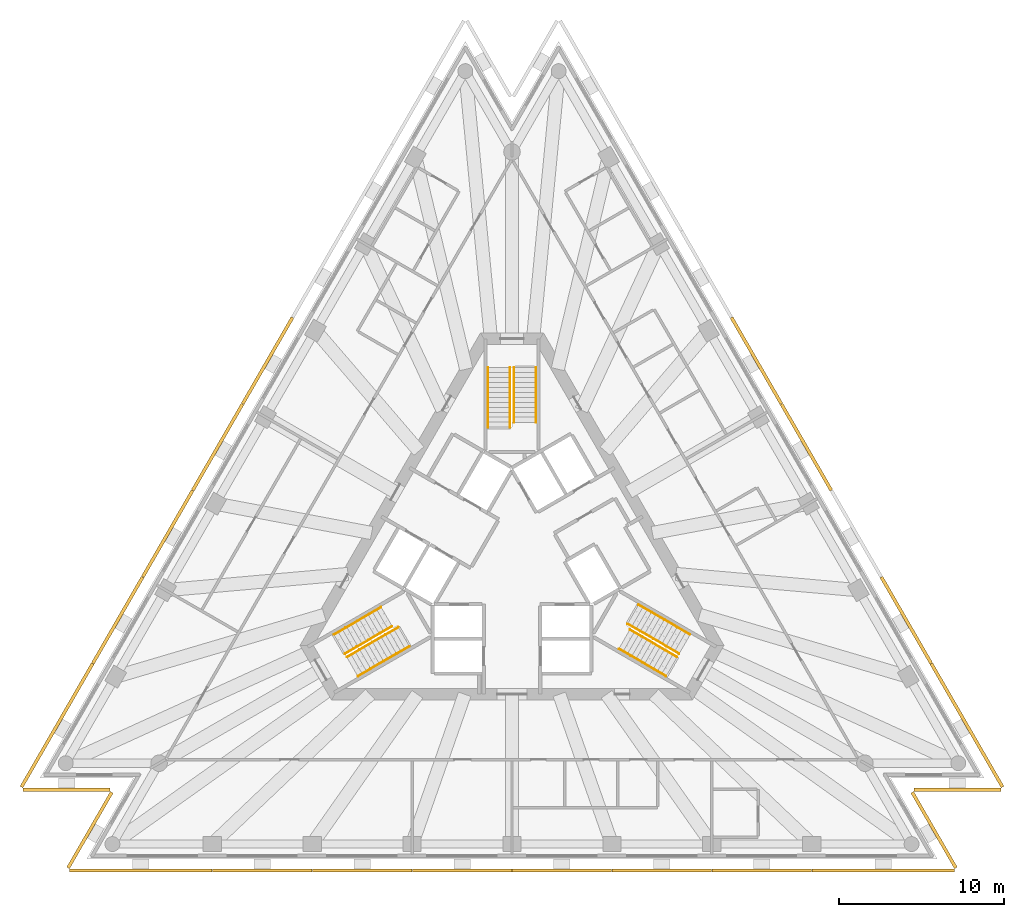
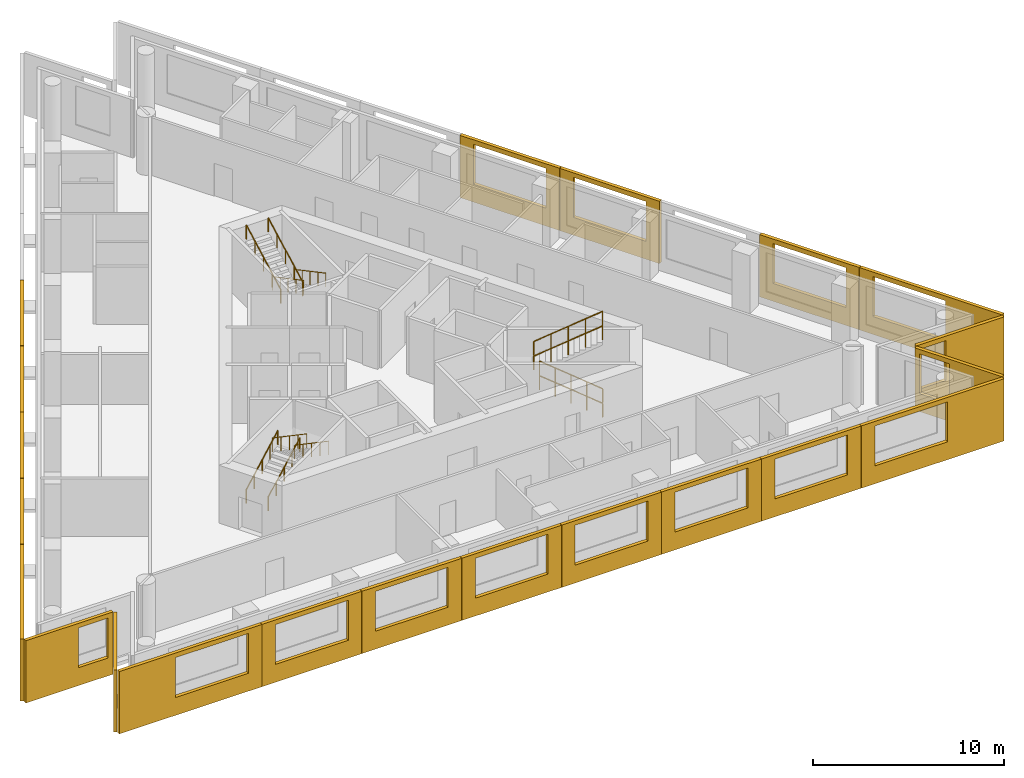
# One storey, part 8 of 9: 21 shading devices, 12 railings, 3 elements without a shape of their own.
"""IFC4 building model written with IfcOpenShell, lengths in metres."""

from ifc_helpers import new_model, si_unit, direction, frame, origin, origin_2d, place, context, subcontext, project, spatial, polyline, circle, outline, extrude, material, layer, layer_set, type_object, element, aggregate, save


model = new_model("IFC4")

# Units and contexts
model_context = context("Model", 3, precision=1e-05, world=origin(), true_north=direction((0.0, 1.0)))
body_context = subcontext(model_context, "Body", "Model", "MODEL_VIEW")
ifc_project = project(units=[si_unit("LENGTHUNIT", "METRE"), si_unit("AREAUNIT", "SQUARE_METRE"), si_unit("VOLUMEUNIT", "CUBIC_METRE"), si_unit("PLANEANGLEUNIT", "RADIAN"), si_unit("MASSUNIT", "GRAM", prefix="KILO")], contexts=[model_context])

# Site, building, storey
site_placement = place(None, origin())
site = spatial("IfcSite", under=ifc_project, at=site_placement, CompositionType="ELEMENT")
building_placement = place(site_placement, origin())
building = spatial("IfcBuilding", under=site, at=building_placement, Name="Triada Interchange Tower", CompositionType="ELEMENT")
storey_placement = place(building_placement, frame((0.0, 0.0, 215.300048828125)))
storey = spatial("IfcBuildingStorey", under=building, at=storey_placement, Name="L50", CompositionType="ELEMENT", Elevation=215.300048828125)

# Shading devices
ifc_material_1 = material(Name="Concrete C50/60 precast", Category="concrete")
ifc_layer_1 = layer(ifc_material_1, 0.02001953125, Name="Exposed aggregate face")
ifc_layer_2 = layer(ifc_material_1, 0.179931640625, Name="Precast concrete screen")
ifc_layer_set = layer_set([ifc_layer_1, ifc_layer_2], Name="Outer skin screen panel 3980")
shading_device_type = type_object("IfcShadingDeviceType", Name="Outer skin screen panel 3980", PredefinedType="SHUTTER", material=ifc_layer_set)
shading_device_1_placement = place(storey_placement, frame((-13.18798828125, 14.577880859375, -0.2900390625), z_axis=(0.0, 0.0, 1.0), x_axis=(-0.499972859464, -0.866041072813, 0.0)))
element("IfcShadingDevice", 1, at=shading_device_1_placement, inside=storey, type_object=shading_device_type, Name="Outer skin screen panel L50 04", PredefinedType="SHUTTER", context=body_context, shape_type="SweptSolid", body=[
    extrude(outline(polyline([(0.0, 0.0), (6.020263671875, 0.0), (6.020263671875, 3.97998046875), (0.0, 3.97998046875), (0.0, 0.0)]), holes=[polyline([(0.81005859375, 1.139892578125), (0.81005859375, 3.68994140625), (5.2099609375, 3.68994140625), (5.2099609375, 1.139892578125), (0.81005859375, 1.139892578125)])]), frame((0.0, 0.0, 0.0), z_axis=(0.0, -1.0, 0.0), x_axis=(1.0, 0.0, 0.0)), (0.0, 0.0, 1.0), 0.199951171875),
])
shading_device_2_placement = place(storey_placement, frame((-16.2080078125, 9.345947265625, -0.2900390625), z_axis=(0.0, 0.0, 1.0), x_axis=(-0.499972859464, -0.866041072813, 0.0)))
element("IfcShadingDevice", 2, at=shading_device_2_placement, inside=storey, type_object=shading_device_type, Name="Outer skin screen panel L50 05", PredefinedType="SHUTTER", context=body_context, shape_type="SweptSolid", body=[
    extrude(outline(polyline([(0.0, 0.0), (6.020263671875, 0.0), (6.020263671875, 3.97998046875), (0.0, 3.97998046875), (0.0, 0.0)]), holes=[polyline([(0.810302734375, 1.139892578125), (0.810302734375, 3.68994140625), (5.21044921875, 3.68994140625), (5.21044921875, 1.139892578125), (0.810302734375, 1.139892578125)])]), frame((0.0, 0.0, 0.0), z_axis=(0.0, -1.0, 0.0), x_axis=(1.0, 0.0, 0.0)), (0.0, 0.0, 1.0), 0.199951171875),
])
shading_device_3_placement = place(storey_placement, frame((-19.22802734375, 4.114990234375, -0.2900390625), z_axis=(0.0, 0.0, 1.0), x_axis=(-0.500076946771, -0.865980973987, 0.0)))
element("IfcShadingDevice", 3, at=shading_device_3_placement, inside=storey, type_object=shading_device_type, Name="Outer skin screen panel L50 06", PredefinedType="SHUTTER", context=body_context, shape_type="SweptSolid", body=[
    extrude(outline(polyline([(0.0, 0.0), (6.02099609375, 0.0), (6.02099609375, 3.97998046875), (0.0, 3.97998046875), (0.0, 0.0)]), holes=[polyline([(0.809814453125, 1.139892578125), (0.809814453125, 3.68994140625), (5.2099609375, 3.68994140625), (5.2099609375, 1.139892578125), (0.809814453125, 1.139892578125)])]), frame((0.0, 0.0, 0.0), z_axis=(0.0, -1.0, 0.0), x_axis=(1.0, 0.0, 0.0)), (0.0, 0.0, 1.0), 0.199951171875),
])
shading_device_4_placement = place(storey_placement, frame((-22.2490234375, -1.115966796875, -0.2900390625), z_axis=(0.0, 0.0, 1.0), x_axis=(-0.499955300828, -0.866051209326, 0.0)))
element("IfcShadingDevice", 4, at=shading_device_4_placement, inside=storey, type_object=shading_device_type, Name="Outer skin screen panel L50 07", PredefinedType="SHUTTER", context=body_context, shape_type="SweptSolid", body=[
    extrude(outline(polyline([(0.0, 0.0), (6.0205078125, 0.0), (6.0205078125, 3.97998046875), (0.0, 3.97998046875), (0.0, 0.0)]), holes=[polyline([(0.810302734375, 1.139892578125), (0.810302734375, 3.68994140625), (5.21044921875, 3.68994140625), (5.21044921875, 1.139892578125), (0.810302734375, 1.139892578125)])]), frame((0.0, 0.0, 0.0), z_axis=(0.0, -1.0, 0.0), x_axis=(1.0, 0.0, 0.0)), (0.0, 0.0, 1.0), 0.199951171875),
])
shading_device_5_placement = place(storey_placement, frame((-25.26904296875, -6.346923828125, -0.2900390625), z_axis=(0.0, 0.0, 1.0), x_axis=(-0.499950501706, -0.866053979752, 0.0)))
element("IfcShadingDevice", 5, at=shading_device_5_placement, inside=storey, type_object=shading_device_type, Name="Outer skin screen panel L50 08", PredefinedType="SHUTTER", context=body_context, shape_type="SweptSolid", body=[
    extrude(outline(polyline([(0.0, 0.0), (8.618408203125, 0.0), (8.618408203125, 3.97998046875), (0.0, 3.97998046875), (0.0, 0.0)]), holes=[polyline([(0.809814453125, 1.139892578125), (0.809814453125, 3.68994140625), (5.2099609375, 3.68994140625), (5.2099609375, 1.139892578125), (0.809814453125, 1.139892578125)])]), frame((0.0, 0.0, 0.0), z_axis=(0.0, -1.0, 0.0), x_axis=(1.0, 0.0, 0.0)), (0.0, 0.0, 1.0), 0.199951171875),
])
shading_device_6_placement = place(storey_placement, frame((-29.572998046875, -13.820068359375, -0.2900390625), z_axis=(0.0, 0.0, 1.0), x_axis=(1.0, 0.0, 0.0)))
element("IfcShadingDevice", 6, at=shading_device_6_placement, inside=storey, type_object=shading_device_type, Name="Outer skin screen panel L50 09", PredefinedType="SHUTTER", context=body_context, shape_type="SweptSolid", body=[
    extrude(outline(polyline([(0.0, 0.0), (5.279052734375, 0.0), (5.279052734375, 3.97998046875), (0.0, 3.97998046875), (0.0, 0.0)]), holes=[polyline([(3.175048828125, 1.139892578125), (3.175048828125, 3.68994140625), (4.97900390625, 3.68994140625), (4.97900390625, 1.139892578125), (3.175048828125, 1.139892578125)])]), frame((0.0, 0.0, 0.0), z_axis=(0.0, -1.0, 0.0), x_axis=(1.0, 0.0, 0.0)), (0.0, 0.0, 1.0), 0.199951171875),
])
shading_device_7_placement = place(storey_placement, frame((-24.114990234375, -14.12890625, -0.2900390625), z_axis=(0.0, 0.0, 1.0), x_axis=(-0.50003334744, -0.866006149775, 0.0)))
element("IfcShadingDevice", 7, at=shading_device_7_placement, inside=storey, type_object=shading_device_type, Name="Outer skin screen panel L50 10", PredefinedType="SHUTTER", context=body_context, shape_type="SweptSolid", body=[
    extrude(outline(polyline([(0.0, 0.0), (5.279541015625, 0.0), (5.279541015625, 3.97998046875), (0.0, 3.97998046875), (0.0, 0.0)]), holes=[polyline([(0.300048828125, 1.139892578125), (0.300048828125, 3.68994140625), (1.758056640625, 3.68994140625), (1.758056640625, 1.139892578125), (0.300048828125, 1.139892578125)])]), frame((0.0, 0.0, 0.0), z_axis=(0.0, -1.0, 0.0), x_axis=(1.0, 0.0, 0.0)), (0.0, 0.0, 1.0), 0.199951171875),
])
shading_device_8_placement = place(storey_placement, frame((-26.75, -18.7099609375, -0.2900390625), z_axis=(0.0, 0.0, 1.0), x_axis=(1.0, 0.0, 0.0)))
element("IfcShadingDevice", 8, at=shading_device_8_placement, inside=storey, type_object=shading_device_type, Name="Outer skin screen panel L50 11", PredefinedType="SHUTTER", context=body_context, shape_type="SweptSolid", body=[
    extrude(outline(polyline([(0.0, 0.0), (8.618896484375, 0.0), (8.618896484375, 3.97998046875), (0.0, 3.97998046875), (0.0, 0.0)]), holes=[polyline([(3.407958984375, 1.139892578125), (3.407958984375, 3.68994140625), (7.80810546875, 3.68994140625), (7.80810546875, 1.139892578125), (3.407958984375, 1.139892578125)])]), frame((0.0, 0.0, 0.0), z_axis=(0.0, -1.0, 0.0), x_axis=(1.0, 0.0, 0.0)), (0.0, 0.0, 1.0), 0.199951171875),
])
shading_device_9_placement = place(storey_placement, frame((-18.112060546875, -18.7099609375, -0.2900390625), z_axis=(0.0, 0.0, 1.0), x_axis=(1.0, 0.0, 0.0)))
element("IfcShadingDevice", 9, at=shading_device_9_placement, inside=storey, type_object=shading_device_type, Name="Outer skin screen panel L50 12", PredefinedType="SHUTTER", context=body_context, shape_type="SweptSolid", body=[
    extrude(outline(polyline([(0.0, 0.0), (6.02099609375, 0.0), (6.02099609375, 3.97998046875), (0.0, 3.97998046875), (0.0, 0.0)]), holes=[polyline([(0.810546875, 1.139892578125), (0.810546875, 3.68994140625), (5.21044921875, 3.68994140625), (5.21044921875, 1.139892578125), (0.810546875, 1.139892578125)])]), frame((0.0, 0.0, 0.0), z_axis=(0.0, -1.0, 0.0), x_axis=(1.0, 0.0, 0.0)), (0.0, 0.0, 1.0), 0.199951171875),
])
shading_device_10_placement = place(storey_placement, frame((-12.071044921875, -18.7099609375, -0.2900390625), z_axis=(0.0, 0.0, 1.0), x_axis=(1.0, 0.0, 0.0)))
element("IfcShadingDevice", 10, at=shading_device_10_placement, inside=storey, type_object=shading_device_type, Name="Outer skin screen panel L50 13", PredefinedType="SHUTTER", context=body_context, shape_type="SweptSolid", body=[
    extrude(outline(polyline([(0.0, 0.0), (6.02001953125, 0.0), (6.02001953125, 3.97998046875), (0.0, 3.97998046875), (0.0, 0.0)]), holes=[polyline([(0.81005859375, 1.139892578125), (0.81005859375, 3.68994140625), (5.2099609375, 3.68994140625), (5.2099609375, 1.139892578125), (0.81005859375, 1.139892578125)])]), frame((0.0, 0.0, 0.0), z_axis=(0.0, -1.0, 0.0), x_axis=(1.0, 0.0, 0.0)), (0.0, 0.0, 1.0), 0.199951171875),
])
shading_device_11_placement = place(storey_placement, frame((-6.030029296875, -18.7099609375, -0.2900390625), z_axis=(0.0, 0.0, 1.0), x_axis=(1.0, 0.0, 0.0)))
element("IfcShadingDevice", 11, at=shading_device_11_placement, inside=storey, type_object=shading_device_type, Name="Outer skin screen panel L50 14", PredefinedType="SHUTTER", context=body_context, shape_type="SweptSolid", body=[
    extrude(outline(polyline([(0.0, 0.0), (6.02001953125, 0.0), (6.02001953125, 3.97998046875), (0.0, 3.97998046875), (0.0, 0.0)]), holes=[polyline([(0.810546875, 1.139892578125), (0.810546875, 3.68994140625), (5.21044921875, 3.68994140625), (5.21044921875, 1.139892578125), (0.810546875, 1.139892578125)])]), frame((0.0, 0.0, 0.0), z_axis=(0.0, -1.0, 0.0), x_axis=(1.0, 0.0, 0.0)), (0.0, 0.0, 1.0), 0.199951171875),
])
shading_device_12_placement = place(storey_placement, frame((0.010009765625, -18.7099609375, -0.2900390625), z_axis=(0.0, 0.0, 1.0), x_axis=(1.0, 0.0, 0.0)))
element("IfcShadingDevice", 12, at=shading_device_12_placement, inside=storey, type_object=shading_device_type, Name="Outer skin screen panel L50 15", PredefinedType="SHUTTER", context=body_context, shape_type="SweptSolid", body=[
    extrude(outline(polyline([(0.0, 0.0), (6.02001953125, 0.0), (6.02001953125, 3.97998046875), (0.0, 3.97998046875), (0.0, 0.0)]), holes=[polyline([(0.81005859375, 1.139892578125), (0.81005859375, 3.68994140625), (5.2099609375, 3.68994140625), (5.2099609375, 1.139892578125), (0.81005859375, 1.139892578125)])]), frame((0.0, 0.0, 0.0), z_axis=(0.0, -1.0, 0.0), x_axis=(1.0, 0.0, 0.0)), (0.0, 0.0, 1.0), 0.199951171875),
])
shading_device_13_placement = place(storey_placement, frame((6.051025390625, -18.7099609375, -0.2900390625), z_axis=(0.0, 0.0, 1.0), x_axis=(1.0, 0.0, 0.0)))
element("IfcShadingDevice", 13, at=shading_device_13_placement, inside=storey, type_object=shading_device_type, Name="Outer skin screen panel L50 16", PredefinedType="SHUTTER", context=body_context, shape_type="SweptSolid", body=[
    extrude(outline(polyline([(0.0, 0.0), (6.02001953125, 0.0), (6.02001953125, 3.97998046875), (0.0, 3.97998046875), (0.0, 0.0)]), holes=[polyline([(0.810546875, 1.139892578125), (0.810546875, 3.68994140625), (5.21044921875, 3.68994140625), (5.21044921875, 1.139892578125), (0.810546875, 1.139892578125)])]), frame((0.0, 0.0, 0.0), z_axis=(0.0, -1.0, 0.0), x_axis=(1.0, 0.0, 0.0)), (0.0, 0.0, 1.0), 0.199951171875),
])
shading_device_14_placement = place(storey_placement, frame((12.091064453125, -18.7099609375, -0.2900390625), z_axis=(0.0, 0.0, 1.0), x_axis=(1.0, 0.0, 0.0)))
element("IfcShadingDevice", 14, at=shading_device_14_placement, inside=storey, type_object=shading_device_type, Name="Outer skin screen panel L50 17", PredefinedType="SHUTTER", context=body_context, shape_type="SweptSolid", body=[
    extrude(outline(polyline([(0.0, 0.0), (6.02099609375, 0.0), (6.02099609375, 3.97998046875), (0.0, 3.97998046875), (0.0, 0.0)]), holes=[polyline([(0.81005859375, 1.139892578125), (0.81005859375, 3.68994140625), (5.2099609375, 3.68994140625), (5.2099609375, 1.139892578125), (0.81005859375, 1.139892578125)])]), frame((0.0, 0.0, 0.0), z_axis=(0.0, -1.0, 0.0), x_axis=(1.0, 0.0, 0.0)), (0.0, 0.0, 1.0), 0.199951171875),
])
shading_device_15_placement = place(storey_placement, frame((18.132080078125, -18.7099609375, -0.2900390625), z_axis=(0.0, 0.0, 1.0), x_axis=(1.0, 0.0, 0.0)))
element("IfcShadingDevice", 15, at=shading_device_15_placement, inside=storey, type_object=shading_device_type, Name="Outer skin screen panel L50 18", PredefinedType="SHUTTER", context=body_context, shape_type="SweptSolid", body=[
    extrude(outline(polyline([(0.0, 0.0), (8.617919921875, 0.0), (8.617919921875, 3.97998046875), (0.0, 3.97998046875), (0.0, 0.0)]), holes=[polyline([(0.810546875, 1.139892578125), (0.810546875, 3.68994140625), (5.21044921875, 3.68994140625), (5.21044921875, 1.139892578125), (0.810546875, 1.139892578125)])]), frame((0.0, 0.0, 0.0), z_axis=(0.0, -1.0, 0.0), x_axis=(1.0, 0.0, 0.0)), (0.0, 0.0, 1.0), 0.199951171875),
])
shading_device_16_placement = place(storey_placement, frame((26.7548828125, -18.700927734375, -0.2900390625), z_axis=(0.0, 0.0, 1.0), x_axis=(-0.50003334744, 0.866006149775, 0.0)))
element("IfcShadingDevice", 16, at=shading_device_16_placement, inside=storey, type_object=shading_device_type, Name="Outer skin screen panel L50 19", PredefinedType="SHUTTER", context=body_context, shape_type="SweptSolid", body=[
    extrude(outline(polyline([(0.0, 0.0), (5.279541015625, 0.0), (5.279541015625, 3.97998046875), (0.0, 3.97998046875), (0.0, 0.0)]), holes=[polyline([(3.17529296875, 1.139892578125), (3.17529296875, 3.68994140625), (4.979736328125, 3.68994140625), (4.979736328125, 1.139892578125), (3.17529296875, 1.139892578125)])]), frame((0.0, 0.0, 0.0), z_axis=(0.0, -1.0, 0.0), x_axis=(1.0, 0.0, 0.0)), (0.0, 0.0, 1.0), 0.199951171875),
])
shading_device_17_placement = place(storey_placement, frame((24.2939453125, -13.820068359375, -0.2900390625), z_axis=(0.0, 0.0, 1.0), x_axis=(1.0, 0.0, 0.0)))
element("IfcShadingDevice", 17, at=shading_device_17_placement, inside=storey, type_object=shading_device_type, Name="Outer skin screen panel L50 20", PredefinedType="SHUTTER", context=body_context, shape_type="SweptSolid", body=[
    extrude(outline(polyline([(0.0, 0.0), (5.279052734375, 0.0), (5.279052734375, 3.97998046875), (0.0, 3.97998046875), (0.0, 0.0)]), holes=[polyline([(0.300048828125, 1.139892578125), (0.300048828125, 3.68994140625), (1.758056640625, 3.68994140625), (1.758056640625, 1.139892578125), (0.300048828125, 1.139892578125)])]), frame((0.0, 0.0, 0.0), z_axis=(0.0, -1.0, 0.0), x_axis=(1.0, 0.0, 0.0)), (0.0, 0.0, 1.0), 0.199951171875),
])
shading_device_18_placement = place(storey_placement, frame((29.577880859375, -13.81103515625, -0.2900390625), z_axis=(0.0, 0.0, 1.0), x_axis=(-0.499950501706, 0.866053979752, 0.0)))
element("IfcShadingDevice", 18, at=shading_device_18_placement, inside=storey, type_object=shading_device_type, Name="Outer skin screen panel L50 21", PredefinedType="SHUTTER", context=body_context, shape_type="SweptSolid", body=[
    extrude(outline(polyline([(0.0, 0.0), (8.618408203125, 0.0), (8.618408203125, 3.97998046875), (0.0, 3.97998046875), (0.0, 0.0)]), holes=[polyline([(3.408203125, 1.139892578125), (3.408203125, 3.68994140625), (7.808349609375, 3.68994140625), (7.808349609375, 1.139892578125), (3.408203125, 1.139892578125)])]), frame((0.0, 0.0, 0.0), z_axis=(0.0, -1.0, 0.0), x_axis=(1.0, 0.0, 0.0)), (0.0, 0.0, 1.0), 0.199951171875),
])
shading_device_19_placement = place(storey_placement, frame((25.259033203125, -6.330078125, -0.2900390625), z_axis=(0.0, 0.0, 1.0), x_axis=(-0.499955300828, 0.866051209326, 0.0)))
element("IfcShadingDevice", 19, at=shading_device_19_placement, inside=storey, type_object=shading_device_type, Name="Outer skin screen panel L50 22", PredefinedType="SHUTTER", context=body_context, shape_type="SweptSolid", body=[
    extrude(outline(polyline([(0.0, 0.0), (6.0205078125, 0.0), (6.0205078125, 3.97998046875), (0.0, 3.97998046875), (0.0, 0.0)]), holes=[polyline([(0.809814453125, 1.139892578125), (0.809814453125, 3.68994140625), (5.209716796875, 3.68994140625), (5.209716796875, 1.139892578125), (0.809814453125, 1.139892578125)])]), frame((0.0, 0.0, 0.0), z_axis=(0.0, -1.0, 0.0), x_axis=(1.0, 0.0, 0.0)), (0.0, 0.0, 1.0), 0.199951171875),
])
shading_device_20_placement = place(storey_placement, frame((19.218017578125, 4.132080078125, -0.2900390625), z_axis=(0.0, 0.0, 1.0), x_axis=(-0.499972859464, 0.866041072813, 0.0)))
element("IfcShadingDevice", 20, at=shading_device_20_placement, inside=storey, type_object=shading_device_type, Name="Outer skin screen panel L50 24", PredefinedType="SHUTTER", context=body_context, shape_type="SweptSolid", body=[
    extrude(outline(polyline([(0.0, 0.0), (6.020263671875, 0.0), (6.020263671875, 3.97998046875), (0.0, 3.97998046875), (0.0, 0.0)]), holes=[polyline([(0.810791015625, 1.139892578125), (0.810791015625, 3.68994140625), (5.210693359375, 3.68994140625), (5.210693359375, 1.139892578125), (0.810791015625, 1.139892578125)])]), frame((0.0, 0.0, 0.0), z_axis=(0.0, -1.0, 0.0), x_axis=(1.0, 0.0, 0.0)), (0.0, 0.0, 1.0), 0.199951171875),
])
shading_device_21_placement = place(storey_placement, frame((16.197998046875, 9.364013671875, -0.2900390625), z_axis=(0.0, 0.0, 1.0), x_axis=(-0.499972859464, 0.866041072813, 0.0)))
element("IfcShadingDevice", 21, at=shading_device_21_placement, inside=storey, type_object=shading_device_type, Name="Outer skin screen panel L50 25", PredefinedType="SHUTTER", context=body_context, shape_type="SweptSolid", body=[
    extrude(outline(polyline([(0.0, 0.0), (6.020263671875, 0.0), (6.020263671875, 3.97998046875), (0.0, 3.97998046875), (0.0, 0.0)]), holes=[polyline([(0.810302734375, 1.139892578125), (0.810302734375, 3.68994140625), (5.210205078125, 3.68994140625), (5.210205078125, 1.139892578125), (0.810302734375, 1.139892578125)])]), frame((0.0, 0.0, 0.0), z_axis=(0.0, -1.0, 0.0), x_axis=(1.0, 0.0, 0.0)), (0.0, 0.0, 1.0), 0.199951171875),
])

# Stair, railings
ifc_material_2 = material(Name="Concrete C35/45", Category="concrete")
stair_type = type_object("IfcStairType", Name="HALF TURN STAIR 1400", PredefinedType="HALF_TURN_STAIR", material=ifc_material_2)
stair_1_placement = place(storey_placement, origin())
stair_1 = element("IfcStair", 22, at=stair_1_placement, inside=storey, type_object=stair_type, Name="Exit stair S50-1", PredefinedType="HALF_TURN_STAIR")
ifc_material_3 = material(Name="Stainless steel 1.4301", Category="steel")
railing_type = type_object("IfcRailingType", Name="STAIR HANDRAIL 900", PredefinedType="HANDRAIL", material=ifc_material_3)
railing_1_placement = place(storey_placement, frame((1.449951171875, 11.60009765625, 0.159912109375)))
railing_1 = element("IfcRailing", 23, at=railing_1_placement, type_object=railing_type, Name="Handrail S50-1 1W", PredefinedType="HANDRAIL", context=body_context, shape_type="SweptSolid", body=[
    extrude(circle(Radius=0.02392578125, at=origin_2d()), frame((0.0, 0.0, 0.8759765625), z_axis=(0.0, -0.882354748157, 0.47058484719), x_axis=(1.0, 0.0, 0.0)), (0.0, 0.0, 1.0), 3.739990234375),
    extrude(circle(Radius=0.02099609375, at=origin_2d()), origin(), (0.0, 0.0, 1.0), 0.851806640625),
    extrude(circle(Radius=0.02099609375, at=origin_2d()), frame((0.0, -0.824951171875, 0.43994140625)), (0.0, 0.0, 1.0), 0.851806640625),
    extrude(circle(Radius=0.02099609375, at=origin_2d()), frame((0.0, -1.64990234375, 0.8798828125)), (0.0, 0.0, 1.0), 0.851806640625),
    extrude(circle(Radius=0.02099609375, at=origin_2d()), frame((0.0, -2.47509765625, 1.320068359375)), (0.0, 0.0, 1.0), 0.851806640625),
    extrude(circle(Radius=0.02099609375, at=origin_2d()), frame((0.0, -3.300048828125, 1.760009765625)), (0.0, 0.0, 1.0), 0.851806640625),
])
railing_2_placement = place(storey_placement, frame((0.1201171875, 11.60009765625, 0.159912109375)))
railing_2 = element("IfcRailing", 24, at=railing_2_placement, type_object=railing_type, Name="Handrail S50-1 1C", PredefinedType="HANDRAIL", context=body_context, shape_type="SweptSolid", body=[
    extrude(circle(Radius=0.02392578125, at=origin_2d()), frame((0.0, 0.0, 0.8759765625), z_axis=(0.0, -0.882354748157, 0.47058484719), x_axis=(1.0, 0.0, 0.0)), (0.0, 0.0, 1.0), 3.739990234375),
    extrude(circle(Radius=0.02099609375, at=origin_2d()), origin(), (0.0, 0.0, 1.0), 0.851806640625),
    extrude(circle(Radius=0.02099609375, at=origin_2d()), frame((0.0, -0.824951171875, 0.43994140625)), (0.0, 0.0, 1.0), 0.851806640625),
    extrude(circle(Radius=0.02099609375, at=origin_2d()), frame((0.0, -1.64990234375, 0.8798828125)), (0.0, 0.0, 1.0), 0.851806640625),
    extrude(circle(Radius=0.02099609375, at=origin_2d()), frame((0.0, -2.47509765625, 1.320068359375)), (0.0, 0.0, 1.0), 0.851806640625),
    extrude(circle(Radius=0.02099609375, at=origin_2d()), frame((0.0, -3.300048828125, 1.760009765625)), (0.0, 0.0, 1.0), 0.851806640625),
])
railing_3_placement = place(storey_placement, frame((-1.449951171875, 8.0, 2.079833984375)))
railing_3 = element("IfcRailing", 25, at=railing_3_placement, type_object=railing_type, Name="Handrail S50-1 2W", PredefinedType="HANDRAIL", context=body_context, shape_type="SweptSolid", body=[
    extrude(circle(Radius=0.02392578125, at=origin_2d()), frame((0.0, 0.0, 0.8759765625), z_axis=(0.0, 0.882341346394, 0.470609974867), x_axis=(-1.0, 0.0, 0.0)), (0.0, 0.0, 1.0), 4.080078125),
    extrude(circle(Radius=0.02099609375, at=origin_2d()), origin(), (0.0, 0.0, 1.0), 0.851806640625),
    extrude(circle(Radius=0.02099609375, at=origin_2d()), frame((0.0, 0.89990234375, 0.47998046875)), (0.0, 0.0, 1.0), 0.851806640625),
    extrude(circle(Radius=0.02099609375, at=origin_2d()), frame((0.0, 1.800048828125, 0.9599609375)), (0.0, 0.0, 1.0), 0.851806640625),
    extrude(circle(Radius=0.02099609375, at=origin_2d()), frame((0.0, 2.7001953125, 1.440185546875)), (0.0, 0.0, 1.0), 0.851806640625),
    extrude(circle(Radius=0.02099609375, at=origin_2d()), frame((0.0, 3.60009765625, 1.920166015625)), (0.0, 0.0, 1.0), 0.851806640625),
])
railing_4_placement = place(storey_placement, frame((-0.1201171875, 8.0, 2.079833984375)))
railing_4 = element("IfcRailing", 26, at=railing_4_placement, type_object=railing_type, Name="Handrail S50-1 2C", PredefinedType="HANDRAIL", context=body_context, shape_type="SweptSolid", body=[
    extrude(circle(Radius=0.02392578125, at=origin_2d()), frame((0.0, 0.0, 0.8759765625), z_axis=(0.0, 0.882341346394, 0.470609974867), x_axis=(-1.0, 0.0, 0.0)), (0.0, 0.0, 1.0), 4.080078125),
    extrude(circle(Radius=0.02099609375, at=origin_2d()), origin(), (0.0, 0.0, 1.0), 0.851806640625),
    extrude(circle(Radius=0.02099609375, at=origin_2d()), frame((0.0, 0.89990234375, 0.47998046875)), (0.0, 0.0, 1.0), 0.851806640625),
    extrude(circle(Radius=0.02099609375, at=origin_2d()), frame((0.0, 1.800048828125, 0.9599609375)), (0.0, 0.0, 1.0), 0.851806640625),
    extrude(circle(Radius=0.02099609375, at=origin_2d()), frame((0.0, 2.7001953125, 1.440185546875)), (0.0, 0.0, 1.0), 0.851806640625),
    extrude(circle(Radius=0.02099609375, at=origin_2d()), frame((0.0, 3.60009765625, 1.920166015625)), (0.0, 0.0, 1.0), 0.851806640625),
])
aggregate(stair_1, [railing_1, railing_2, railing_3, railing_4])

stair_2_placement = place(storey_placement, origin())
stair_2 = element("IfcStair", 27, at=stair_2_placement, inside=storey, type_object=stair_type, Name="Exit stair S50-2", PredefinedType="HALF_TURN_STAIR")
railing_5_placement = place(storey_placement, frame((-10.77099609375, -4.5439453125, 0.159912109375)))
railing_5 = element("IfcRailing", 28, at=railing_5_placement, type_object=railing_type, Name="Handrail S50-2 1W", PredefinedType="HANDRAIL", context=body_context, shape_type="SweptSolid", body=[
    extrude(circle(Radius=0.02392578125, at=origin_2d()), frame((0.0, 0.0, 0.8759765625), z_axis=(0.764150854273, 0.441152526326, 0.470593158077), x_axis=(-0.499974350878, 0.866040211805, 0.0)), (0.0, 0.0, 1.0), 3.739990234375),
    extrude(circle(Radius=0.02099609375, at=origin_2d()), origin(), (0.0, 0.0, 1.0), 0.851806640625),
    extrude(circle(Radius=0.02099609375, at=origin_2d()), frame((0.71435546875, 0.41259765625, 0.43994140625)), (0.0, 0.0, 1.0), 0.851806640625),
    extrude(circle(Radius=0.02099609375, at=origin_2d()), frame((1.428955078125, 0.824951171875, 0.8798828125)), (0.0, 0.0, 1.0), 0.851806640625),
    extrude(circle(Radius=0.02099609375, at=origin_2d()), frame((2.1435546875, 1.2373046875, 1.320068359375)), (0.0, 0.0, 1.0), 0.851806640625),
    extrude(circle(Radius=0.02099609375, at=origin_2d()), frame((2.85791015625, 1.64990234375, 1.760009765625)), (0.0, 0.0, 1.0), 0.851806640625),
])
railing_6_placement = place(storey_placement, frame((-10.10595703125, -5.696044921875, 0.159912109375)))
railing_6 = element("IfcRailing", 29, at=railing_6_placement, type_object=railing_type, Name="Handrail S50-2 1C", PredefinedType="HANDRAIL", context=body_context, shape_type="SweptSolid", body=[
    extrude(circle(Radius=0.02392578125, at=origin_2d()), frame((0.0, 0.0, 0.8759765625), z_axis=(0.76412884773, 0.441205098395, 0.470579605611), x_axis=(-0.50002983664, 0.866008176907, 0.0)), (0.0, 0.0, 1.0), 3.739990234375),
    extrude(circle(Radius=0.02099609375, at=origin_2d()), origin(), (0.0, 0.0, 1.0), 0.851806640625),
    extrude(circle(Radius=0.02099609375, at=origin_2d()), frame((0.71435546875, 0.41259765625, 0.43994140625)), (0.0, 0.0, 1.0), 0.851806640625),
    extrude(circle(Radius=0.02099609375, at=origin_2d()), frame((1.428955078125, 0.8251953125, 0.8798828125)), (0.0, 0.0, 1.0), 0.851806640625),
    extrude(circle(Radius=0.02099609375, at=origin_2d()), frame((2.1435546875, 1.237548828125, 1.320068359375)), (0.0, 0.0, 1.0), 0.851806640625),
    extrude(circle(Radius=0.02099609375, at=origin_2d()), frame((2.85791015625, 1.650146484375, 1.760009765625)), (0.0, 0.0, 1.0), 0.851806640625),
])
railing_7_placement = place(storey_placement, frame((-6.202880859375, -5.256103515625, 2.079833984375)))
railing_7 = element("IfcRailing", 30, at=railing_7_placement, type_object=railing_type, Name="Handrail S50-2 2W", PredefinedType="HANDRAIL", context=body_context, shape_type="SweptSolid", body=[
    extrude(circle(Radius=0.02392578125, at=origin_2d()), frame((0.0, 0.0, 0.8759765625), z_axis=(-0.764189758314, -0.441090424232, 0.470588196769), x_axis=(0.499902469156, -0.866081705922, 0.0)), (0.0, 0.0, 1.0), 4.080322265625),
    extrude(circle(Radius=0.02099609375, at=origin_2d()), origin(), (0.0, 0.0, 1.0), 0.851806640625),
    extrude(circle(Radius=0.02099609375, at=origin_2d()), frame((-0.779541015625, -0.449951171875, 0.47998046875)), (0.0, 0.0, 1.0), 0.851806640625),
    extrude(circle(Radius=0.02099609375, at=origin_2d()), frame((-1.55908203125, -0.89990234375, 0.9599609375)), (0.0, 0.0, 1.0), 0.851806640625),
    extrude(circle(Radius=0.02099609375, at=origin_2d()), frame((-2.338623046875, -1.349853515625, 1.440185546875)), (0.0, 0.0, 1.0), 0.851806640625),
    extrude(circle(Radius=0.02099609375, at=origin_2d()), frame((-3.1181640625, -1.7998046875, 1.920166015625)), (0.0, 0.0, 1.0), 0.851806640625),
])
railing_8_placement = place(storey_placement, frame((-6.867919921875, -4.10400390625, 2.079833984375)))
railing_8 = element("IfcRailing", 31, at=railing_8_placement, type_object=railing_type, Name="Handrail S50-2 2C", PredefinedType="HANDRAIL", context=body_context, shape_type="SweptSolid", body=[
    extrude(circle(Radius=0.02392578125, at=origin_2d()), frame((0.0, 0.0, 0.8759765625), z_axis=(-0.764169589359, -0.441138614339, 0.470575776723), x_axis=(0.49995333141, -0.866052346231, 0.0)), (0.0, 0.0, 1.0), 4.08056640625),
    extrude(circle(Radius=0.02099609375, at=origin_2d()), origin(), (0.0, 0.0, 1.0), 0.851806640625),
    extrude(circle(Radius=0.02099609375, at=origin_2d()), frame((-0.779541015625, -0.449951171875, 0.47998046875)), (0.0, 0.0, 1.0), 0.851806640625),
    extrude(circle(Radius=0.02099609375, at=origin_2d()), frame((-1.55908203125, -0.89990234375, 0.9599609375)), (0.0, 0.0, 1.0), 0.851806640625),
    extrude(circle(Radius=0.02099609375, at=origin_2d()), frame((-2.338623046875, -1.35009765625, 1.440185546875)), (0.0, 0.0, 1.0), 0.851806640625),
    extrude(circle(Radius=0.02099609375, at=origin_2d()), frame((-3.1181640625, -1.800048828125, 1.920166015625)), (0.0, 0.0, 1.0), 0.851806640625),
])
aggregate(stair_2, [railing_5, railing_6, railing_7, railing_8])

stair_3_placement = place(storey_placement, origin())
stair_3 = element("IfcStair", 32, at=stair_3_placement, inside=storey, type_object=stair_type, Name="Exit stair S50-3", PredefinedType="HALF_TURN_STAIR")
railing_9_placement = place(storey_placement, frame((9.321044921875, -7.055908203125, 0.159912109375)))
railing_9 = element("IfcRailing", 33, at=railing_9_placement, type_object=railing_type, Name="Handrail S50-3 1W", PredefinedType="HANDRAIL", context=body_context, shape_type="SweptSolid", body=[
    extrude(circle(Radius=0.02392578125, at=origin_2d()), frame((0.0, 0.0, 0.8759765625), z_axis=(-0.764178012919, 0.441130521168, 0.470569684388), x_axis=(-0.499942318283, -0.866058703778, 0.0)), (0.0, 0.0, 1.0), 3.740234375),
    extrude(circle(Radius=0.02099609375, at=origin_2d()), origin(), (0.0, 0.0, 1.0), 0.851806640625),
    extrude(circle(Radius=0.02099609375, at=origin_2d()), frame((-0.714599609375, 0.41259765625, 0.43994140625)), (0.0, 0.0, 1.0), 0.851806640625),
    extrude(circle(Radius=0.02099609375, at=origin_2d()), frame((-1.42919921875, 0.824951171875, 0.8798828125)), (0.0, 0.0, 1.0), 0.851806640625),
    extrude(circle(Radius=0.02099609375, at=origin_2d()), frame((-2.1435546875, 1.2373046875, 1.320068359375)), (0.0, 0.0, 1.0), 0.851806640625),
    extrude(circle(Radius=0.02099609375, at=origin_2d()), frame((-2.858154296875, 1.64990234375, 1.760009765625)), (0.0, 0.0, 1.0), 0.851806640625),
])
railing_10_placement = place(storey_placement, frame((9.986083984375, -5.904052734375, 0.159912109375)))
railing_10 = element("IfcRailing", 34, at=railing_10_placement, type_object=railing_type, Name="Handrail S50-3 1C", PredefinedType="HANDRAIL", context=body_context, shape_type="SweptSolid", body=[
    extrude(circle(Radius=0.02392578125, at=origin_2d()), frame((0.0, 0.0, 0.8759765625), z_axis=(-0.764156007789, 0.441183091881, 0.47055613395), x_axis=(-0.49999780286, -0.8660266723, 0.0)), (0.0, 0.0, 1.0), 3.740234375),
    extrude(circle(Radius=0.02099609375, at=origin_2d()), origin(), (0.0, 0.0, 1.0), 0.851806640625),
    extrude(circle(Radius=0.02099609375, at=origin_2d()), frame((-0.714599609375, 0.41259765625, 0.43994140625)), (0.0, 0.0, 1.0), 0.851806640625),
    extrude(circle(Radius=0.02099609375, at=origin_2d()), frame((-1.42919921875, 0.8251953125, 0.8798828125)), (0.0, 0.0, 1.0), 0.851806640625),
    extrude(circle(Radius=0.02099609375, at=origin_2d()), frame((-2.1435546875, 1.237548828125, 1.320068359375)), (0.0, 0.0, 1.0), 0.851806640625),
    extrude(circle(Radius=0.02099609375, at=origin_2d()), frame((-2.858154296875, 1.650146484375, 1.760009765625)), (0.0, 0.0, 1.0), 0.851806640625),
])
railing_11_placement = place(storey_placement, frame((7.653076171875, -2.743896484375, 2.079833984375)))
railing_11 = element("IfcRailing", 35, at=railing_11_placement, type_object=railing_type, Name="Handrail S50-3 2W", PredefinedType="HANDRAIL", context=body_context, shape_type="SweptSolid", body=[
    extrude(circle(Radius=0.02392578125, at=origin_2d()), frame((0.0, 0.0, 0.8759765625), z_axis=(0.76414469501, -0.441158784458, 0.470597292793), x_axis=(0.499982693035, 0.866035395735, 0.0)), (0.0, 0.0, 1.0), 4.080322265625),
    extrude(circle(Radius=0.02099609375, at=origin_2d()), origin(), (0.0, 0.0, 1.0), 0.851806640625),
    extrude(circle(Radius=0.02099609375, at=origin_2d()), frame((0.779541015625, -0.449951171875, 0.47998046875)), (0.0, 0.0, 1.0), 0.851806640625),
    extrude(circle(Radius=0.02099609375, at=origin_2d()), frame((1.55908203125, -0.89990234375, 0.9599609375)), (0.0, 0.0, 1.0), 0.851806640625),
    extrude(circle(Radius=0.02099609375, at=origin_2d()), frame((2.33837890625, -1.35009765625, 1.440185546875)), (0.0, 0.0, 1.0), 0.851806640625),
    extrude(circle(Radius=0.02099609375, at=origin_2d()), frame((3.117919921875, -1.800048828125, 1.920166015625)), (0.0, 0.0, 1.0), 0.851806640625),
])
railing_12_placement = place(storey_placement, frame((6.988037109375, -3.89599609375, 2.079833984375)))
railing_12 = element("IfcRailing", 36, at=railing_12_placement, type_object=railing_type, Name="Handrail S50-3 2C", PredefinedType="HANDRAIL", context=body_context, shape_type="SweptSolid", body=[
    extrude(circle(Radius=0.02392578125, at=origin_2d()), frame((0.0, 0.0, 0.8759765625), z_axis=(0.76414469501, -0.441158784458, 0.470597292793), x_axis=(0.499982693035, 0.866035395735, 0.0)), (0.0, 0.0, 1.0), 4.080322265625),
    extrude(circle(Radius=0.02099609375, at=origin_2d()), origin(), (0.0, 0.0, 1.0), 0.851806640625),
    extrude(circle(Radius=0.02099609375, at=origin_2d()), frame((0.779541015625, -0.449951171875, 0.47998046875)), (0.0, 0.0, 1.0), 0.851806640625),
    extrude(circle(Radius=0.02099609375, at=origin_2d()), frame((1.55908203125, -0.89990234375, 0.9599609375)), (0.0, 0.0, 1.0), 0.851806640625),
    extrude(circle(Radius=0.02099609375, at=origin_2d()), frame((2.33837890625, -1.35009765625, 1.440185546875)), (0.0, 0.0, 1.0), 0.851806640625),
    extrude(circle(Radius=0.02099609375, at=origin_2d()), frame((3.117919921875, -1.800048828125, 1.920166015625)), (0.0, 0.0, 1.0), 0.851806640625),
])
aggregate(stair_3, [railing_9, railing_10, railing_11, railing_12])

save(model, "model.ifc")
